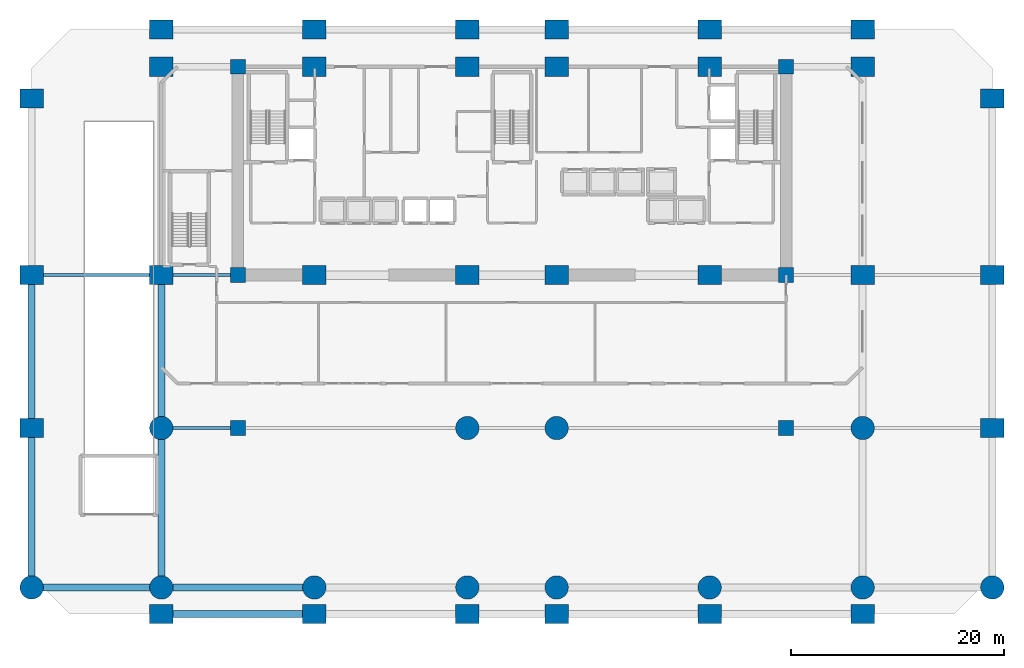
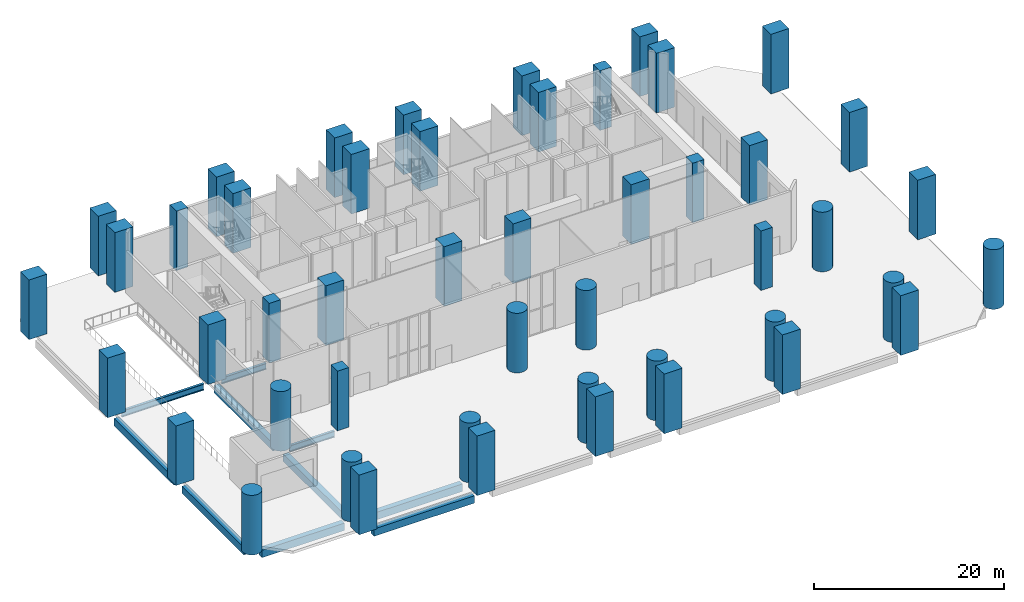
# One storey, part 1 of 17: 48 columns, 10 beams.
"""IFC4 building model written with IfcOpenShell, lengths in metres."""

import ifcopenshell
import ifcopenshell.guid

model = None  # the IFC model being written
_history = None  # IfcOwnerHistory: only IFC2X3 demands one
_inside = {}  # id of a spatial element -> (the spatial element, [elements in it])
_under = {}  # id of a project, library or spatial element -> (it, [spatial elements below it])
_declared = {}  # id of a project -> (the project, [libraries it declares])
_typed = {}  # id of a type object -> (the type object, [elements of that type])
_made_of = {}  # id of a material, layer set ... -> (it, [elements and type objects made of it])


def new_model(schema):
    """Start an empty IFC model of exactly this schema.

    Asked for "IFC4X3", IfcOpenShell would pick the latest addendum, in which some entities
    have other attributes; the version numbers below select the first issue.
    IFC2X3 requires an IfcOwnerHistory on every rooted entity: one is made here for all.
    """
    global model, _history
    if schema == "IFC4X3":
        model = ifcopenshell.file(schema_version=(4, 3, 0, 0))
    else:
        model = ifcopenshell.file(schema=schema)
    _inside.clear()
    _under.clear()
    _declared.clear()
    _typed.clear()
    _made_of.clear()
    _history = None
    if model.schema == "IFC2X3":
        org = make("IfcOrganization", Name="unknown")
        user = make(
            "IfcPersonAndOrganization",
            ThePerson=make("IfcPerson", FamilyName="unknown"),
            TheOrganization=org,
        )
        app = make(
            "IfcApplication",
            ApplicationDeveloper=org,
            Version="unknown",
            ApplicationFullName="unknown",
            ApplicationIdentifier="unknown",
        )
        _history = make(
            "IfcOwnerHistory",
            OwningUser=user,
            OwningApplication=app,
            ChangeAction="ADDED",
            CreationDate=0,
        )
    return model


def make(cls, **values):
    """One entity of the class cls with the attributes given. An attribute that is None is left unset."""
    return model.create_entity(
        cls, **{name: value for name, value in values.items() if value is not None}
    )


def rooted(cls, **values):
    """An entity with a GlobalId (a new one), such as an element, a storey or a relation."""
    return make(cls, GlobalId=ifcopenshell.guid.new(), OwnerHistory=_history, **values)


def si_unit(unit_type, name, prefix=None):
    """IfcSIUnit, for example si_unit("LENGTHUNIT", "METRE", prefix="MILLI")."""
    return make("IfcSIUnit", UnitType=unit_type, Prefix=prefix, Name=name)


def assignment(units):
    """IfcUnitAssignment: the units of a project."""
    return None if units is None else make("IfcUnitAssignment", Units=units)


def point(xyz):
    """IfcCartesianPoint."""
    return None if xyz is None else make("IfcCartesianPoint", Coordinates=xyz)


def direction(xyz):
    """IfcDirection."""
    return None if xyz is None else make("IfcDirection", DirectionRatios=xyz)


def frame(location, z_axis=None, x_axis=None):
    """IfcAxis2Placement3D, a coordinate frame: its origin and axes. An axis left out is left unset."""
    return make(
        "IfcAxis2Placement3D",
        Location=point(location),
        Axis=direction(z_axis),
        RefDirection=direction(x_axis),
    )


def frame_2d(location, x_axis=None):
    """IfcAxis2Placement2D, a coordinate frame in the plane: its origin and x axis."""
    return make(
        "IfcAxis2Placement2D", Location=point(location), RefDirection=direction(x_axis)
    )


def origin():
    """The frame at (0, 0, 0) with its axes left unset."""
    return frame((0.0, 0.0, 0.0))


def origin_2d():
    """The frame at (0, 0) in the plane with its x axis left unset."""
    return frame_2d((0.0, 0.0))


def place(relative_to, where):
    """IfcLocalPlacement: puts the frame where relative to a parent placement (None: the world)."""
    return make(
        "IfcLocalPlacement", PlacementRelTo=relative_to, RelativePlacement=where
    )


def context(
    kind, dimensions, precision=None, world=None, true_north=None, identifier=None
):
    """IfcGeometricRepresentationContext, for example the 3D "Model" context."""
    return make(
        "IfcGeometricRepresentationContext",
        ContextIdentifier=identifier,
        ContextType=kind,
        CoordinateSpaceDimension=dimensions,
        Precision=precision,
        WorldCoordinateSystem=world,
        TrueNorth=true_north,
    )


def subcontext(parent, identifier, kind, view, scale=None):
    """IfcGeometricRepresentationSubContext, for example "Body" below "Model"."""
    return make(
        "IfcGeometricRepresentationSubContext",
        ContextIdentifier=identifier,
        ContextType=kind,
        ParentContext=parent,
        TargetScale=scale,
        TargetView=view,
    )


def project(units=None, contexts=None):
    """IfcProject with its units and contexts."""
    return rooted(
        "IfcProject",
        Name="project",
        RepresentationContexts=contexts,
        UnitsInContext=assignment(units),
    )


def spatial(cls, under=None, at=None, **own):
    """A site, building, storey or space (cls), placed at a placement, below another one or the project."""
    s = rooted(cls, ObjectPlacement=at, **own)
    if under is not None:
        _under.setdefault(under.id(), (under, []))[1].append(s)
    return s


def profile(cls, at=None, kind="AREA", **sizes):
    """A parametric profile (cls). Its sizes go by their IFC names, for example OverallWidth=200.0."""
    return make(cls, ProfileType=kind, Position=at, **sizes)


def rectangle(**sizes):
    """IfcRectangleProfileDef."""
    return profile("IfcRectangleProfileDef", **sizes)


def circle(**sizes):
    """IfcCircleProfileDef."""
    return profile("IfcCircleProfileDef", **sizes)


def i_section(**sizes):
    """IfcIShapeProfileDef."""
    return profile("IfcIShapeProfileDef", **sizes)


def extrude(swept, where, along, depth):
    """IfcExtrudedAreaSolid: the profile swept, set in the frame where, extruded along a direction by depth."""
    return make(
        "IfcExtrudedAreaSolid",
        SweptArea=swept,
        Position=where,
        ExtrudedDirection=direction(along),
        Depth=depth,
    )


def shape(context_of_items, identifier, shape_type, items):
    """IfcShapeRepresentation: the items that make up one representation, for example the "Body"."""
    return make(
        "IfcShapeRepresentation",
        ContextOfItems=context_of_items,
        RepresentationIdentifier=identifier,
        RepresentationType=shape_type,
        Items=items,
    )


def material(Name=None, Category=None):
    """IfcMaterial."""
    return make("IfcMaterial", Name=Name, Category=Category)


def material_profile(
    of_material, cross_section, Name=None, Category=None, Priority=None
):
    """IfcMaterialProfile: a cross section and its material."""
    return make(
        "IfcMaterialProfile",
        Name=Name,
        Material=of_material,
        Profile=cross_section,
        Priority=Priority,
        Category=Category,
    )


def profile_set(profiles, Name=None, composite=None):
    """IfcMaterialProfileSet."""
    return make(
        "IfcMaterialProfileSet",
        Name=Name,
        MaterialProfiles=profiles,
        CompositeProfile=composite,
    )


def made_of(thing, what):
    """Note that an element or type object is made of a material, layer set ...; save() writes the relation."""
    if what is not None:
        _made_of.setdefault(what.id(), (what, []))[1].append(thing)
    return thing


def type_object(cls, material=None, **own):
    """A type object (cls), such as IfcWallType, which elements share."""
    return made_of(rooted(cls, **own), material)


def element(
    cls,
    number,
    at=None,
    inside=None,
    cuts=None,
    type_object=None,
    material=None,
    context=None,
    identifier="Body",
    shape_type=None,
    held_by="IfcProductDefinitionShape",
    body=None,
    shapes=None,
    **own,
):
    """One element of the class cls, such as IfcWall. Its Tag is "e" and its number.

    at: its placement. inside: the storey or other place that contains it. cuts: it is an
    opening in that element (IfcRelVoidsElement). A single representation is given by context,
    identifier, shape_type and body (its items); several are given by shapes. held_by: the class
    of the entity that holds the representations. save() writes the other relations.
    """
    e = rooted(cls, Tag="e%d" % number, ObjectPlacement=at, **own)
    if body is not None:
        shapes = [shape(context, identifier, shape_type, body)]
    if shapes is not None:
        e.Representation = make(held_by, Representations=shapes)
    if inside is not None:
        _inside.setdefault(inside.id(), (inside, []))[1].append(e)
    if cuts is not None:
        rooted(
            "IfcRelVoidsElement", RelatingBuildingElement=cuts, RelatedOpeningElement=e
        )
    if type_object is not None:
        _typed.setdefault(type_object.id(), (type_object, []))[1].append(e)
    return made_of(e, material)


def aggregate(whole, parts):
    """IfcRelAggregates: a whole, such as a stair, and the parts it consists of."""
    return rooted("IfcRelAggregates", RelatingObject=whole, RelatedObjects=parts)


def save(model, path):
    """Write the relations noted so far, then the file.

    IfcRelAggregates (storeys below a building ...), IfcRelContainedInSpatialStructure (elements
    in a storey), IfcRelDefinesByType, IfcRelAssociatesMaterial and IfcRelDeclares: one each for
    every whole, place, type object, material and project.
    """
    for whole, parts in _under.values():
        aggregate(whole, parts)
    for where, things in _inside.values():
        rooted(
            "IfcRelContainedInSpatialStructure",
            RelatedElements=things,
            RelatingStructure=where,
        )
    for kind, things in _typed.values():
        rooted("IfcRelDefinesByType", RelatedObjects=things, RelatingType=kind)
    for what, things in _made_of.values():
        rooted("IfcRelAssociatesMaterial", RelatedObjects=things, RelatingMaterial=what)
    for by, libraries in _declared.values():
        rooted("IfcRelDeclares", RelatingContext=by, RelatedDefinitions=libraries)
    model.write(path)


model = new_model("IFC4")

# Units and contexts
model_context = context("Model", 3, precision=1e-05, world=origin(), true_north=direction((0.0, 1.0)))
body_context = subcontext(model_context, "Body", "Model", "MODEL_VIEW")
ifc_project = project(units=[si_unit("LENGTHUNIT", "METRE"), si_unit("AREAUNIT", "SQUARE_METRE"), si_unit("VOLUMEUNIT", "CUBIC_METRE"), si_unit("PLANEANGLEUNIT", "RADIAN"), si_unit("MASSUNIT", "GRAM", prefix="KILO")], contexts=[model_context])

# Site, building, storey
site_placement = place(None, origin())
site = spatial("IfcSite", under=ifc_project, at=site_placement, CompositionType="ELEMENT")
building_placement = place(site_placement, origin())
building = spatial("IfcBuilding", under=site, at=building_placement, Name="Kaelvorn Grand Hotel", CompositionType="ELEMENT")
storey_placement = place(building_placement, origin())
storey = spatial("IfcBuildingStorey", under=building, at=storey_placement, Name="L00", CompositionType="ELEMENT", Elevation=0.0)

# Columns
ifc_material_1 = material(Name="Concrete C80/95", Category="concrete")
ifc_material_profile_1 = material_profile(ifc_material_1, rectangle(XDim=2.199951171875, YDim=1.800048828125, at=origin_2d()), Name="PILOTIS 2200x1800")
ifc_profile_set_1 = profile_set([ifc_material_profile_1], Name="Concrete C80/95")
column_type_1 = type_object("IfcColumnType", Name="COL-PILOTIS-2200x1800", PredefinedType="USERDEFINED", material=ifc_profile_set_1)
for number, where, z_axis, x_axis, name in (
    (1, (9.0, -2.5, 0.0), (0.0, 0.0, 1.0), (1.0, 0.0, 0.0), "L00 Pilotis Mega Column PSP-02"),
    (2, (23.39990234375, -2.5, 0.0), (0.0, 0.0, 1.0), (1.0, 0.0, 0.0), "L00 Pilotis Mega Column PSP-03"),
    (3, (37.800048828125, -2.5, 0.0), (0.0, 0.0, 1.0), (1.0, 0.0, 0.0), "L00 Pilotis Mega Column PSP-04"),
    (4, (46.199951171875, -2.5, 0.0), (0.0, 0.0, 1.0), (1.0, 0.0, 0.0), "L00 Pilotis Mega Column PSP-05"),
    (5, (60.60009765625, -2.5, 0.0), (0.0, 0.0, 1.0), (1.0, 0.0, 0.0), "L00 Pilotis Mega Column PSP-06"),
    (6, (75.0, -2.5, 0.0), (0.0, 0.0, 1.0), (1.0, 0.0, 0.0), "L00 Pilotis Mega Column PSP-07"),
    (7, (-3.199951171875, 15.0, 0.0), (0.0, 0.0, 1.0), (1.0, 0.0, 0.0), "L00 Pilotis Mega Column PW-01"),
    (8, (87.199951171875, 15.0, 0.0), (0.0, 0.0, 1.0), (1.0, 0.0, 0.0), "L00 Pilotis Mega Column PE-01"),
    (9, (-3.199951171875, 29.39990234375, 0.0), (0.0, 0.0, 1.0), (1.0, 0.0, 0.0), "L00 Pilotis Mega Column PW-02"),
    (10, (87.199951171875, 29.39990234375, 0.0), (0.0, 0.0, 1.0), (1.0, 0.0, 0.0), "L00 Pilotis Mega Column PE-02"),
    (11, (-3.199951171875, 46.0, 0.0), (0.0, 0.0, 1.0), (1.0, 0.0, 0.0), "L00 Pilotis Mega Column PW-03"),
    (12, (87.199951171875, 46.0, 0.0), (0.0, 0.0, 1.0), (1.0, 0.0, 0.0), "L00 Pilotis Mega Column PE-03"),
    (13, (9.0, 29.39990234375, 0.0), (0.0, 0.0, 1.0), (1.0, 0.0, 0.0), "L00 Pilotis Mega Column PC-01"),
    (14, (9.0, 49.0, 0.0), (0.0, 0.0, 1.0), (1.0, 0.0, 0.0), "L00 Pilotis Mega Column PN-01"),
    (15, (9.0, 52.5, 0.0), (0.0, 0.0, 1.0), (1.0, 0.0, 0.0), "L00 Pilotis Mega Column PNP-01"),
    (16, (23.39990234375, 29.39990234375, 0.0), (0.0, 0.0, 1.0), (1.0, 0.0, 0.0), "L00 Pilotis Mega Column PC-02"),
    (17, (23.39990234375, 49.0, 0.0), (0.0, 0.0, 1.0), (1.0, 0.0, 0.0), "L00 Pilotis Mega Column PN-02"),
    (18, (23.39990234375, 52.5, 0.0), (0.0, 0.0, 1.0), (1.0, 0.0, 0.0), "L00 Pilotis Mega Column PNP-02"),
    (19, (37.800048828125, 29.39990234375, 0.0), (0.0, 0.0, 1.0), (1.0, 0.0, 0.0), "L00 Pilotis Mega Column PC-03"),
    (20, (37.800048828125, 49.0, 0.0), (0.0, 0.0, 1.0), (1.0, 0.0, 0.0), "L00 Pilotis Mega Column PN-03"),
    (21, (37.800048828125, 52.5, 0.0), (0.0, 0.0, 1.0), (1.0, 0.0, 0.0), "L00 Pilotis Mega Column PNP-03"),
    (22, (46.199951171875, 29.39990234375, 0.0), (0.0, 0.0, 1.0), (1.0, 0.0, 0.0), "L00 Pilotis Mega Column PC-04"),
    (23, (46.199951171875, 49.0, 0.0), (0.0, 0.0, 1.0), (1.0, 0.0, 0.0), "L00 Pilotis Mega Column PN-04"),
    (24, (46.199951171875, 52.5, 0.0), (0.0, 0.0, 1.0), (1.0, 0.0, 0.0), "L00 Pilotis Mega Column PNP-04"),
    (25, (60.60009765625, 29.39990234375, 0.0), (0.0, 0.0, 1.0), (1.0, 0.0, 0.0), "L00 Pilotis Mega Column PC-05"),
    (26, (60.60009765625, 49.0, 0.0), (0.0, 0.0, 1.0), (1.0, 0.0, 0.0), "L00 Pilotis Mega Column PN-05"),
    (27, (60.60009765625, 52.5, 0.0), (0.0, 0.0, 1.0), (1.0, 0.0, 0.0), "L00 Pilotis Mega Column PNP-05"),
    (28, (75.0, 29.39990234375, 0.0), (0.0, 0.0, 1.0), (1.0, 0.0, 0.0), "L00 Pilotis Mega Column PC-06"),
    (29, (75.0, 49.0, 0.0), (0.0, 0.0, 1.0), (1.0, 0.0, 0.0), "L00 Pilotis Mega Column PN-06"),
    (30, (75.0, 52.5, 0.0), (0.0, 0.0, 1.0), (1.0, 0.0, 0.0), "L00 Pilotis Mega Column PNP-06"),
):
    element("IfcColumn", number, at=place(storey_placement, frame(where, z_axis=z_axis, x_axis=x_axis)), inside=storey, type_object=column_type_1, Name=name, ObjectType="PILOTIS", PredefinedType="USERDEFINED", context=body_context, shape_type="SweptSolid", body=[
        extrude(rectangle(XDim=2.199951171875, YDim=1.800048828125, at=origin_2d()), origin(), (0.0, 0.0, 1.0), 7.679931640625),
    ])
ifc_material_profile_2 = material_profile(ifc_material_1, circle(Radius=1.10009765625, at=origin_2d()), Name="PILOTIS D2200")
ifc_profile_set_2 = profile_set([ifc_material_profile_2], Name="Concrete C80/95")
column_type_2 = type_object("IfcColumnType", Name="COL-PILOTIS-D2200", PredefinedType="USERDEFINED", material=ifc_profile_set_2)
for number, where, z_axis, x_axis, name in (
    (31, (-3.199951171875, 0.0, 0.0), (0.0, 0.0, 1.0), (1.0, 0.0, 0.0), "L00 Pilotis Mega Column PS-01"),
    (32, (9.0, 0.0, 0.0), (0.0, 0.0, 1.0), (1.0, 0.0, 0.0), "L00 Pilotis Mega Column PS-02"),
    (33, (23.39990234375, 0.0, 0.0), (0.0, 0.0, 1.0), (1.0, 0.0, 0.0), "L00 Pilotis Mega Column PS-03"),
    (34, (37.800048828125, 0.0, 0.0), (0.0, 0.0, 1.0), (1.0, 0.0, 0.0), "L00 Pilotis Mega Column PS-04"),
    (35, (46.199951171875, 0.0, 0.0), (0.0, 0.0, 1.0), (1.0, 0.0, 0.0), "L00 Pilotis Mega Column PS-05"),
    (36, (60.60009765625, 0.0, 0.0), (0.0, 0.0, 1.0), (1.0, 0.0, 0.0), "L00 Pilotis Mega Column PS-06"),
    (37, (75.0, 0.0, 0.0), (0.0, 0.0, 1.0), (1.0, 0.0, 0.0), "L00 Pilotis Mega Column PS-07"),
    (38, (87.199951171875, 0.0, 0.0), (0.0, 0.0, 1.0), (1.0, 0.0, 0.0), "L00 Pilotis Mega Column PS-08"),
    (39, (9.0, 15.0, 0.0), (0.0, 0.0, 1.0), (1.0, 0.0, 0.0), "L00 Pilotis Mega Column PM-01"),
    (40, (37.800048828125, 15.0, 0.0), (0.0, 0.0, 1.0), (1.0, 0.0, 0.0), "L00 Pilotis Mega Column PM-02"),
    (41, (46.199951171875, 15.0, 0.0), (0.0, 0.0, 1.0), (1.0, 0.0, 0.0), "L00 Pilotis Mega Column PM-03"),
    (42, (75.0, 15.0, 0.0), (0.0, 0.0, 1.0), (1.0, 0.0, 0.0), "L00 Pilotis Mega Column PM-04"),
):
    element("IfcColumn", number, at=place(storey_placement, frame(where, z_axis=z_axis, x_axis=x_axis)), inside=storey, type_object=column_type_2, Name=name, ObjectType="PILOTIS", PredefinedType="USERDEFINED", context=body_context, shape_type="SweptSolid", body=[
        extrude(circle(Radius=1.10009765625, at=origin_2d()), origin(), (0.0, 0.0, 1.0), 7.679931640625),
    ])
ifc_material_profile_3 = material_profile(ifc_material_1, rectangle(XDim=1.39990234375, YDim=1.39990234375, at=origin_2d()), Name="RC COL 1400x1400")
ifc_profile_set_3 = profile_set([ifc_material_profile_3], Name="Concrete C80/95")
column_type_3 = type_object("IfcColumnType", Name="COL-RC-1400-C80", PredefinedType="COLUMN", material=ifc_profile_set_3)
for number, where, z_axis, x_axis, name in (
    (43, (16.199951171875, 15.0, 0.0), (0.0, 0.0, 1.0), (1.0, 0.0, 0.0), "L00 Structural Column PMR-01"),
    (44, (67.800048828125, 15.0, 0.0), (0.0, 0.0, 1.0), (1.0, 0.0, 0.0), "L00 Structural Column PMR-02"),
    (45, (16.199951171875, 29.39990234375, 0.0), (0.0, 0.0, 1.0), (1.0, 0.0, 0.0), "L00 Structural Column PCR-01"),
    (46, (16.199951171875, 49.0, 0.0), (0.0, 0.0, 1.0), (1.0, 0.0, 0.0), "L00 Structural Column PNR-01"),
    (47, (67.800048828125, 29.39990234375, 0.0), (0.0, 0.0, 1.0), (1.0, 0.0, 0.0), "L00 Structural Column PCR-02"),
    (48, (67.800048828125, 49.0, 0.0), (0.0, 0.0, 1.0), (1.0, 0.0, 0.0), "L00 Structural Column PNR-02"),
):
    element("IfcColumn", number, at=place(storey_placement, frame(where, z_axis=z_axis, x_axis=x_axis)), inside=storey, type_object=column_type_3, Name=name, PredefinedType="COLUMN", context=body_context, shape_type="SweptSolid", body=[
        extrude(rectangle(XDim=1.39990234375, YDim=1.39990234375, at=origin_2d()), origin(), (0.0, 0.0, 1.0), 7.679931640625),
    ])

# Beams
ifc_material_2 = material(Name="Steel S355", Category="steel")
ifc_material_profile_4 = material_profile(ifc_material_2, i_section(OverallWidth=0.300048828125, OverallDepth=0.800048828125, WebThickness=0.017578125, FlangeThickness=0.032958984375, FilletRadius=0.030029296875, at=origin_2d()), Name="HEB 800")
ifc_profile_set_4 = profile_set([ifc_material_profile_4], Name="Steel S355")
beam_type_1 = type_object("IfcBeamType", Name="BM-G-HEB800-S355", PredefinedType="BEAM", material=ifc_profile_set_4)
beam_1_placement = place(storey_placement, frame((10.0849609375, 15.0, -0.75), z_axis=(1.0, 0.0, 0.0), x_axis=(0.0, 1.0, 0.0)))
element("IfcBeam", 49, at=beam_1_placement, inside=storey, type_object=beam_type_1, Name="L00 Primary Spine Steel Girder G-15 02", PredefinedType="BEAM", context=body_context, shape_type="SweptSolid", body=[
    extrude(i_section(OverallWidth=0.300048828125, OverallDepth=0.800048828125, WebThickness=0.017578125, FlangeThickness=0.032958984375, FilletRadius=0.030029296875, at=origin_2d()), origin(), (0.0, 0.0, 1.0), 5.429931640625),
])
beam_2_placement = place(storey_placement, frame((-2.114990234375, 29.39990234375, -0.75), z_axis=(1.0, 0.0, 0.0), x_axis=(0.0, 1.0, 0.0)))
element("IfcBeam", 50, at=beam_2_placement, inside=storey, type_object=beam_type_1, Name="L00 West Core Wing Steel Girder G-29W 01", PredefinedType="BEAM", context=body_context, shape_type="SweptSolid", body=[
    extrude(i_section(OverallWidth=0.300048828125, OverallDepth=0.800048828125, WebThickness=0.017578125, FlangeThickness=0.032958984375, FilletRadius=0.030029296875, at=origin_2d()), origin(), (0.0, 0.0, 1.0), 10.030029296875),
])
beam_3_placement = place(storey_placement, frame((10.0849609375, 29.39990234375, -0.75), z_axis=(1.0, 0.0, 0.0), x_axis=(0.0, 1.0, 0.0)))
element("IfcBeam", 51, at=beam_3_placement, inside=storey, type_object=beam_type_1, Name="L00 West Core Wing Steel Girder G-29W 02", PredefinedType="BEAM", context=body_context, shape_type="SweptSolid", body=[
    extrude(i_section(OverallWidth=0.300048828125, OverallDepth=0.800048828125, WebThickness=0.017578125, FlangeThickness=0.032958984375, FilletRadius=0.030029296875, at=origin_2d()), origin(), (0.0, 0.0, 1.0), 5.429931640625),
])
ifc_material_3 = material(Name="Concrete C60/75", Category="concrete")
ifc_material_profile_5 = material_profile(ifc_material_3, rectangle(XDim=0.64990234375, YDim=0.949951171875, at=origin_2d()), Name="RC SPANDREL 650x950")
ifc_profile_set_5 = profile_set([ifc_material_profile_5], Name="Concrete C60/75")
beam_type_2 = type_object("IfcBeamType", Name="BM-SP-650x950-C60", PredefinedType="SPANDREL", material=ifc_profile_set_5)
beam_4_placement = place(storey_placement, frame((-2.114990234375, 0.0, -0.824951171875), z_axis=(1.0, 0.0, 0.0), x_axis=(0.0, 1.0, 0.0)))
element("IfcBeam", 52, at=beam_4_placement, inside=storey, type_object=beam_type_2, Name="L00 South Perimeter Spandrel 01", PredefinedType="SPANDREL", context=body_context, shape_type="SweptSolid", body=[
    extrude(rectangle(XDim=0.64990234375, YDim=0.949951171875, at=origin_2d()), origin(), (0.0, 0.0, 1.0), 10.030029296875),
])
for number, where, z_axis, x_axis, name in (
    (53, (10.0849609375, 0.0, -0.824951171875), (1.0, 0.0, 0.0), (0.0, 1.0, 0.0), "L00 South Perimeter Spandrel 02"),
    (54, (10.0849609375, -2.5, -0.824951171875), (1.0, 0.0, 0.0), (0.0, 1.0, 0.0), "L00 South Plinth Spandrel 01"),
):
    element("IfcBeam", number, at=place(storey_placement, frame(where, z_axis=z_axis, x_axis=x_axis)), inside=storey, type_object=beam_type_2, Name=name, PredefinedType="SPANDREL", context=body_context, shape_type="SweptSolid", body=[
        extrude(rectangle(XDim=0.64990234375, YDim=0.949951171875, at=origin_2d()), origin(), (0.0, 0.0, 1.0), 12.22998046875),
    ])
beam_5_placement = place(storey_placement, frame((-3.199951171875, 1.0849609375, -0.824951171875), z_axis=(0.0, 1.0, 0.0), x_axis=(-1.0, 0.0, 0.0)))
element("IfcBeam", 55, at=beam_5_placement, inside=storey, type_object=beam_type_2, Name="L00 W Perimeter Spandrel 01", PredefinedType="SPANDREL", context=body_context, shape_type="SweptSolid", body=[
    extrude(rectangle(XDim=0.64990234375, YDim=0.949951171875, at=origin_2d()), origin(), (0.0, 0.0, 1.0), 13.030029296875),
])
beam_6_placement = place(storey_placement, frame((-3.199951171875, 15.885009765625, -0.824951171875), z_axis=(0.0, 1.0, 0.0), x_axis=(-1.0, 0.0, 0.0)))
element("IfcBeam", 56, at=beam_6_placement, inside=storey, type_object=beam_type_2, Name="L00 W Perimeter Spandrel 02", PredefinedType="SPANDREL", context=body_context, shape_type="SweptSolid", body=[
    extrude(rectangle(XDim=0.64990234375, YDim=0.949951171875, at=origin_2d()), origin(), (0.0, 0.0, 1.0), 12.6298828125),
])
beam_7_placement = place(storey_placement, frame((9.0, 1.0849609375, -0.824951171875), z_axis=(0.0, 1.0, 0.0), x_axis=(-1.0, 0.0, 0.0)))
element("IfcBeam", 57, at=beam_7_placement, inside=storey, type_object=beam_type_2, Name="L00 WI Spine Girder 01", PredefinedType="SPANDREL", context=body_context, shape_type="SweptSolid", body=[
    extrude(rectangle(XDim=0.64990234375, YDim=0.949951171875, at=origin_2d()), origin(), (0.0, 0.0, 1.0), 12.830078125),
])
beam_8_placement = place(storey_placement, frame((9.0, 16.0849609375, -0.824951171875), z_axis=(0.0, 1.0, 0.0), x_axis=(-1.0, 0.0, 0.0)))
element("IfcBeam", 58, at=beam_8_placement, inside=storey, type_object=beam_type_2, Name="L00 WI Spine Girder 02", PredefinedType="SPANDREL", context=body_context, shape_type="SweptSolid", body=[
    extrude(rectangle(XDim=0.64990234375, YDim=0.949951171875, at=origin_2d()), origin(), (0.0, 0.0, 1.0), 12.429931640625),
])

save(model, "model.ifc")
